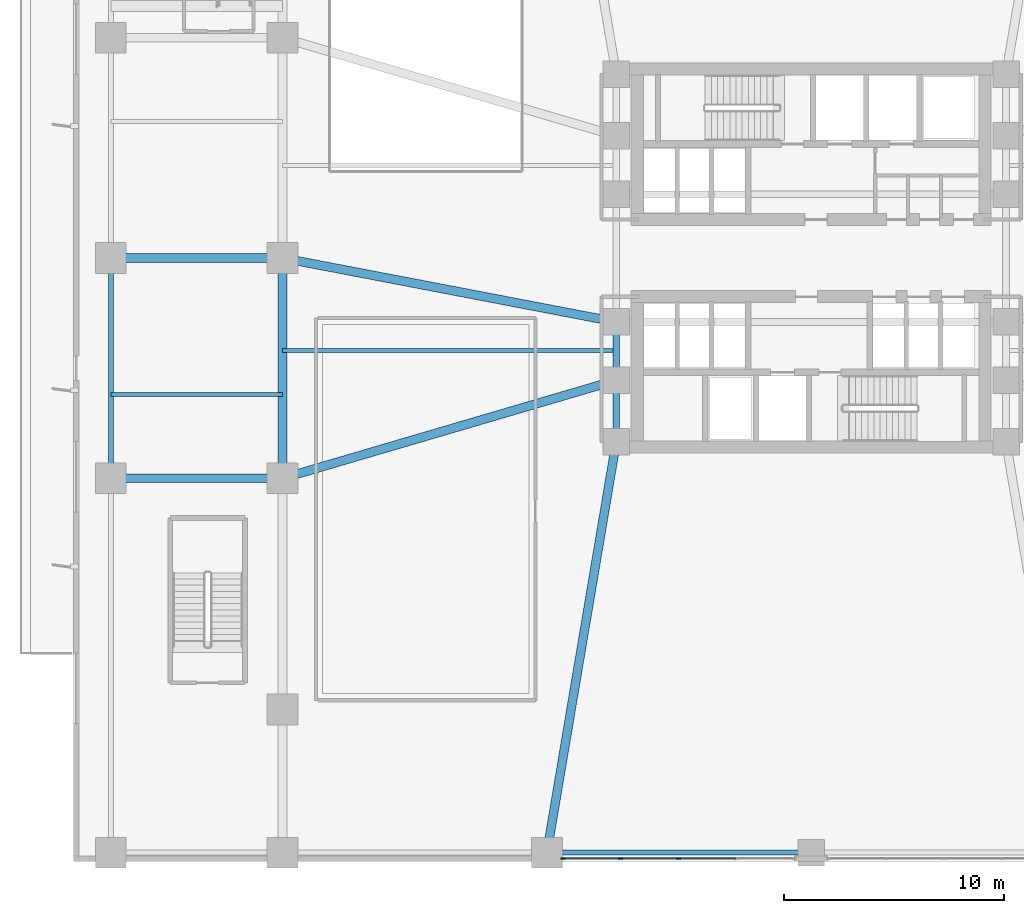
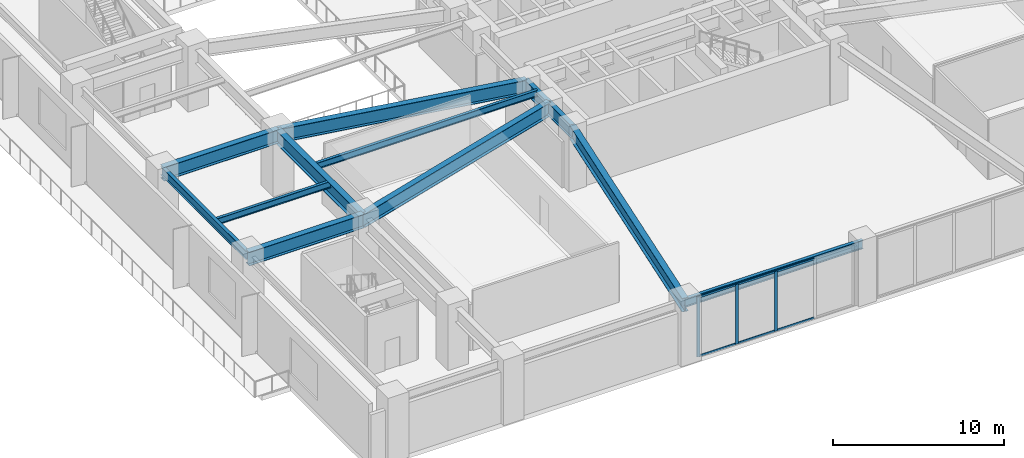
# One storey, part 2 of 13: 12 beams, 9 members, 1 element without a shape of its own.
"""IFC4 building model written with IfcOpenShell, lengths in metres."""

import ifcopenshell
import ifcopenshell.guid

model = None  # the IFC model being written
_history = None  # IfcOwnerHistory: only IFC2X3 demands one
_inside = {}  # id of a spatial element -> (the spatial element, [elements in it])
_under = {}  # id of a project, library or spatial element -> (it, [spatial elements below it])
_declared = {}  # id of a project -> (the project, [libraries it declares])
_typed = {}  # id of a type object -> (the type object, [elements of that type])
_made_of = {}  # id of a material, layer set ... -> (it, [elements and type objects made of it])


def new_model(schema):
    """Start an empty IFC model of exactly this schema.

    Asked for "IFC4X3", IfcOpenShell would pick the latest addendum, in which some entities
    have other attributes; the version numbers below select the first issue.
    IFC2X3 requires an IfcOwnerHistory on every rooted entity: one is made here for all.
    """
    global model, _history
    if schema == "IFC4X3":
        model = ifcopenshell.file(schema_version=(4, 3, 0, 0))
    else:
        model = ifcopenshell.file(schema=schema)
    _inside.clear()
    _under.clear()
    _declared.clear()
    _typed.clear()
    _made_of.clear()
    _history = None
    if model.schema == "IFC2X3":
        org = make("IfcOrganization", Name="unknown")
        user = make(
            "IfcPersonAndOrganization",
            ThePerson=make("IfcPerson", FamilyName="unknown"),
            TheOrganization=org,
        )
        app = make(
            "IfcApplication",
            ApplicationDeveloper=org,
            Version="unknown",
            ApplicationFullName="unknown",
            ApplicationIdentifier="unknown",
        )
        _history = make(
            "IfcOwnerHistory",
            OwningUser=user,
            OwningApplication=app,
            ChangeAction="ADDED",
            CreationDate=0,
        )
    return model


def make(cls, **values):
    """One entity of the class cls with the attributes given. An attribute that is None is left unset."""
    return model.create_entity(
        cls, **{name: value for name, value in values.items() if value is not None}
    )


def rooted(cls, **values):
    """An entity with a GlobalId (a new one), such as an element, a storey or a relation."""
    return make(cls, GlobalId=ifcopenshell.guid.new(), OwnerHistory=_history, **values)


def si_unit(unit_type, name, prefix=None):
    """IfcSIUnit, for example si_unit("LENGTHUNIT", "METRE", prefix="MILLI")."""
    return make("IfcSIUnit", UnitType=unit_type, Prefix=prefix, Name=name)


def assignment(units):
    """IfcUnitAssignment: the units of a project."""
    return None if units is None else make("IfcUnitAssignment", Units=units)


def point(xyz):
    """IfcCartesianPoint."""
    return None if xyz is None else make("IfcCartesianPoint", Coordinates=xyz)


def direction(xyz):
    """IfcDirection."""
    return None if xyz is None else make("IfcDirection", DirectionRatios=xyz)


def frame(location, z_axis=None, x_axis=None):
    """IfcAxis2Placement3D, a coordinate frame: its origin and axes. An axis left out is left unset."""
    return make(
        "IfcAxis2Placement3D",
        Location=point(location),
        Axis=direction(z_axis),
        RefDirection=direction(x_axis),
    )


def frame_2d(location, x_axis=None):
    """IfcAxis2Placement2D, a coordinate frame in the plane: its origin and x axis."""
    return make(
        "IfcAxis2Placement2D", Location=point(location), RefDirection=direction(x_axis)
    )


def origin():
    """The frame at (0, 0, 0) with its axes left unset."""
    return frame((0.0, 0.0, 0.0))


def origin_2d():
    """The frame at (0, 0) in the plane with its x axis left unset."""
    return frame_2d((0.0, 0.0))


def place(relative_to, where):
    """IfcLocalPlacement: puts the frame where relative to a parent placement (None: the world)."""
    return make(
        "IfcLocalPlacement", PlacementRelTo=relative_to, RelativePlacement=where
    )


def context(
    kind, dimensions, precision=None, world=None, true_north=None, identifier=None
):
    """IfcGeometricRepresentationContext, for example the 3D "Model" context."""
    return make(
        "IfcGeometricRepresentationContext",
        ContextIdentifier=identifier,
        ContextType=kind,
        CoordinateSpaceDimension=dimensions,
        Precision=precision,
        WorldCoordinateSystem=world,
        TrueNorth=true_north,
    )


def subcontext(parent, identifier, kind, view, scale=None):
    """IfcGeometricRepresentationSubContext, for example "Body" below "Model"."""
    return make(
        "IfcGeometricRepresentationSubContext",
        ContextIdentifier=identifier,
        ContextType=kind,
        ParentContext=parent,
        TargetScale=scale,
        TargetView=view,
    )


def project(units=None, contexts=None):
    """IfcProject with its units and contexts."""
    return rooted(
        "IfcProject",
        Name="project",
        RepresentationContexts=contexts,
        UnitsInContext=assignment(units),
    )


def spatial(cls, under=None, at=None, **own):
    """A site, building, storey or space (cls), placed at a placement, below another one or the project."""
    s = rooted(cls, ObjectPlacement=at, **own)
    if under is not None:
        _under.setdefault(under.id(), (under, []))[1].append(s)
    return s


def profile(cls, at=None, kind="AREA", **sizes):
    """A parametric profile (cls). Its sizes go by their IFC names, for example OverallWidth=200.0."""
    return make(cls, ProfileType=kind, Position=at, **sizes)


def rectangle(**sizes):
    """IfcRectangleProfileDef."""
    return profile("IfcRectangleProfileDef", **sizes)


def i_section(**sizes):
    """IfcIShapeProfileDef."""
    return profile("IfcIShapeProfileDef", **sizes)


def extrude(swept, where, along, depth):
    """IfcExtrudedAreaSolid: the profile swept, set in the frame where, extruded along a direction by depth."""
    return make(
        "IfcExtrudedAreaSolid",
        SweptArea=swept,
        Position=where,
        ExtrudedDirection=direction(along),
        Depth=depth,
    )


def shape(context_of_items, identifier, shape_type, items):
    """IfcShapeRepresentation: the items that make up one representation, for example the "Body"."""
    return make(
        "IfcShapeRepresentation",
        ContextOfItems=context_of_items,
        RepresentationIdentifier=identifier,
        RepresentationType=shape_type,
        Items=items,
    )


def material(Name=None, Category=None):
    """IfcMaterial."""
    return make("IfcMaterial", Name=Name, Category=Category)


def layer(
    of_material, thickness, ventilated=None, Name=None, Category=None, Priority=None
):
    """IfcMaterialLayer: one layer of a wall or slab, of a material (None: an air gap)."""
    return make(
        "IfcMaterialLayer",
        Material=of_material,
        LayerThickness=thickness,
        IsVentilated=ventilated,
        Name=Name,
        Category=Category,
        Priority=Priority,
    )


def layer_set(layers, Name=None):
    """IfcMaterialLayerSet."""
    return make("IfcMaterialLayerSet", MaterialLayers=layers, LayerSetName=Name)


def material_profile(
    of_material, cross_section, Name=None, Category=None, Priority=None
):
    """IfcMaterialProfile: a cross section and its material."""
    return make(
        "IfcMaterialProfile",
        Name=Name,
        Material=of_material,
        Profile=cross_section,
        Priority=Priority,
        Category=Category,
    )


def profile_set(profiles, Name=None, composite=None):
    """IfcMaterialProfileSet."""
    return make(
        "IfcMaterialProfileSet",
        Name=Name,
        MaterialProfiles=profiles,
        CompositeProfile=composite,
    )


def made_of(thing, what):
    """Note that an element or type object is made of a material, layer set ...; save() writes the relation."""
    if what is not None:
        _made_of.setdefault(what.id(), (what, []))[1].append(thing)
    return thing


def type_object(cls, material=None, **own):
    """A type object (cls), such as IfcWallType, which elements share."""
    return made_of(rooted(cls, **own), material)


def element(
    cls,
    number,
    at=None,
    inside=None,
    cuts=None,
    type_object=None,
    material=None,
    context=None,
    identifier="Body",
    shape_type=None,
    held_by="IfcProductDefinitionShape",
    body=None,
    shapes=None,
    **own,
):
    """One element of the class cls, such as IfcWall. Its Tag is "e" and its number.

    at: its placement. inside: the storey or other place that contains it. cuts: it is an
    opening in that element (IfcRelVoidsElement). A single representation is given by context,
    identifier, shape_type and body (its items); several are given by shapes. held_by: the class
    of the entity that holds the representations. save() writes the other relations.
    """
    e = rooted(cls, Tag="e%d" % number, ObjectPlacement=at, **own)
    if body is not None:
        shapes = [shape(context, identifier, shape_type, body)]
    if shapes is not None:
        e.Representation = make(held_by, Representations=shapes)
    if inside is not None:
        _inside.setdefault(inside.id(), (inside, []))[1].append(e)
    if cuts is not None:
        rooted(
            "IfcRelVoidsElement", RelatingBuildingElement=cuts, RelatedOpeningElement=e
        )
    if type_object is not None:
        _typed.setdefault(type_object.id(), (type_object, []))[1].append(e)
    return made_of(e, material)


def aggregate(whole, parts):
    """IfcRelAggregates: a whole, such as a stair, and the parts it consists of."""
    return rooted("IfcRelAggregates", RelatingObject=whole, RelatedObjects=parts)


def save(model, path):
    """Write the relations noted so far, then the file.

    IfcRelAggregates (storeys below a building ...), IfcRelContainedInSpatialStructure (elements
    in a storey), IfcRelDefinesByType, IfcRelAssociatesMaterial and IfcRelDeclares: one each for
    every whole, place, type object, material and project.
    """
    for whole, parts in _under.values():
        aggregate(whole, parts)
    for where, things in _inside.values():
        rooted(
            "IfcRelContainedInSpatialStructure",
            RelatedElements=things,
            RelatingStructure=where,
        )
    for kind, things in _typed.values():
        rooted("IfcRelDefinesByType", RelatedObjects=things, RelatingType=kind)
    for what, things in _made_of.values():
        rooted("IfcRelAssociatesMaterial", RelatedObjects=things, RelatingMaterial=what)
    for by, libraries in _declared.values():
        rooted("IfcRelDeclares", RelatingContext=by, RelatedDefinitions=libraries)
    model.write(path)


model = new_model("IFC4")

# Units and contexts
model_context = context("Model", 3, precision=1e-05, world=origin(), true_north=direction((0.0, 1.0)))
body_context = subcontext(model_context, "Body", "Model", "MODEL_VIEW")
ifc_project = project(units=[si_unit("LENGTHUNIT", "METRE"), si_unit("AREAUNIT", "SQUARE_METRE"), si_unit("VOLUMEUNIT", "CUBIC_METRE"), si_unit("PLANEANGLEUNIT", "RADIAN"), si_unit("MASSUNIT", "GRAM", prefix="KILO")], contexts=[model_context])

# Site, building, storey
site_placement = place(None, origin())
site = spatial("IfcSite", under=ifc_project, at=site_placement, CompositionType="ELEMENT")
building_placement = place(site_placement, origin())
building = spatial("IfcBuilding", under=site, at=building_placement, Name="Solmarez Civic Tower", CompositionType="ELEMENT")
storey_placement = place(building_placement, frame((0.0, 0.0, 14.760009765625)))
storey = spatial("IfcBuildingStorey", under=building, at=storey_placement, Name="L03", CompositionType="ELEMENT", Elevation=14.760009765625)

# Beams
ifc_material_1 = material(Name="Steel S355", Category="steel")
ifc_material_profile_1 = material_profile(ifc_material_1, i_section(OverallWidth=0.19189453125, OverallDepth=0.462890625, WebThickness=0.010498046875, FlangeThickness=0.017578125, at=origin_2d()), Name="W18X60")
ifc_profile_set_1 = profile_set([ifc_material_profile_1], Name="Steel S355")
beam_type_1 = type_object("IfcBeamType", Name="BM-JS-W18X60", PredefinedType="JOIST", material=ifc_profile_set_1)
beam_1_placement = place(storey_placement, frame((-24.0, -4.199951171875, 4.048095703125), z_axis=(1.0, 0.0, 0.0), x_axis=(0.0, 1.0, 0.0)))
element("IfcBeam", 1, at=beam_1_placement, inside=storey, type_object=beam_type_1, Name="L03 Secondary Floor Joist JS-L03-WM1", PredefinedType="JOIST", context=body_context, shape_type="SweptSolid", body=[
    extrude(i_section(OverallWidth=0.19189453125, OverallDepth=0.462890625, WebThickness=0.010498046875, FlangeThickness=0.017578125, at=origin_2d()), origin(), (0.0, 0.0, 1.0), 15.14990234375),
])
beam_2_placement = place(storey_placement, frame((-31.800048828125, -6.199951171875, 4.048095703125), z_axis=(1.0, 0.0, 0.0), x_axis=(0.0, 1.0, 0.0)))
element("IfcBeam", 2, at=beam_2_placement, inside=storey, type_object=beam_type_1, Name="L03 Secondary Floor Joist JS-L03-WW1", PredefinedType="JOIST", context=body_context, shape_type="SweptSolid", body=[
    extrude(i_section(OverallWidth=0.19189453125, OverallDepth=0.462890625, WebThickness=0.010498046875, FlangeThickness=0.017578125, at=origin_2d()), origin(), (0.0, 0.0, 1.0), 7.800048828125),
])
ifc_material_profile_2 = material_profile(ifc_material_1, i_section(OverallWidth=0.306884765625, OverallDepth=0.927001953125, WebThickness=0.019287109375, FlangeThickness=0.031982421875, at=origin_2d()), Name="W36X194")
ifc_profile_set_2 = profile_set([ifc_material_profile_2], Name="Steel S355")
beam_type_2 = type_object("IfcBeamType", Name="BM-PR-W36X194", PredefinedType="BEAM", material=ifc_profile_set_2)
beam_3_placement = place(storey_placement, frame((-8.85009765625, -8.35009765625, 3.81591796875), z_axis=(0.0, 1.0, 0.0), x_axis=(-1.0, 0.0, 0.0)))
element("IfcBeam", 3, at=beam_3_placement, inside=storey, type_object=beam_type_2, Name="L03 Primary Floor Beam BM-L03-HC12-HC1", PredefinedType="BEAM", context=body_context, shape_type="SweptSolid", body=[
    extrude(i_section(OverallWidth=0.306884765625, OverallDepth=0.927001953125, WebThickness=0.019287109375, FlangeThickness=0.031982421875, at=origin_2d()), origin(), (0.0, 0.0, 1.0), 2.800048828125),
])
beam_4_placement = place(storey_placement, frame((-8.85009765625, -5.550048828125, 3.81591796875), z_axis=(0.0, 1.0, 0.0), x_axis=(-1.0, 0.0, 0.0)))
element("IfcBeam", 4, at=beam_4_placement, inside=storey, type_object=beam_type_2, Name="L03 Primary Floor Beam BM-L03-HC1-HC2", PredefinedType="BEAM", context=body_context, shape_type="SweptSolid", body=[
    extrude(i_section(OverallWidth=0.306884765625, OverallDepth=0.927001953125, WebThickness=0.019287109375, FlangeThickness=0.031982421875, at=origin_2d()), origin(), (0.0, 0.0, 1.0), 2.650146484375),
])
ifc_material_profile_3 = material_profile(ifc_material_1, i_section(OverallWidth=0.39892578125, OverallDepth=0.98193359375, WebThickness=0.0166015625, FlangeThickness=0.027099609375, at=origin_2d()), Name="W40X199")
ifc_profile_set_3 = profile_set([ifc_material_profile_3], Name="Steel S355")
beam_type_3 = type_object("IfcBeamType", Name="BM-PR-W40X199", PredefinedType="BEAM", material=ifc_profile_set_3)
beam_5_placement = place(storey_placement, frame((-24.0, -10.0, 3.7890625), z_axis=(0.0, 1.0, 0.0), x_axis=(-1.0, 0.0, 0.0)))
element("IfcBeam", 5, at=beam_5_placement, inside=storey, type_object=beam_type_3, Name="L03 Primary Floor Beam BM-L03-PC19-PC20", PredefinedType="BEAM", context=body_context, shape_type="SweptSolid", body=[
    extrude(i_section(OverallWidth=0.39892578125, OverallDepth=0.98193359375, WebThickness=0.0166015625, FlangeThickness=0.027099609375, at=origin_2d()), origin(), (0.0, 0.0, 1.0), 10.0),
])
for number, where, z_axis, x_axis, name in (
    (6, (-31.800048828125, -10.0, 3.7890625), (1.0, 0.0, 0.0), (0.0, 1.0, 0.0), "L03 Primary Floor Beam BM-L03-PC13-PC19"),
    (7, (-31.800048828125, 0.0, 3.7890625), (1.0, 0.0, 0.0), (0.0, 1.0, 0.0), "L03 Primary Floor Beam BM-L03-PC14-PC20"),
):
    element("IfcBeam", number, at=place(storey_placement, frame(where, z_axis=z_axis, x_axis=x_axis)), inside=storey, type_object=beam_type_3, Name=name, PredefinedType="BEAM", context=body_context, shape_type="SweptSolid", body=[
        extrude(i_section(OverallWidth=0.39892578125, OverallDepth=0.98193359375, WebThickness=0.0166015625, FlangeThickness=0.027099609375, at=origin_2d()), origin(), (0.0, 0.0, 1.0), 7.800048828125),
    ])
beam_6_placement = place(storey_placement, frame((-24.0, -10.0, 3.7890625), z_axis=(0.959466630969, 0.281822256143, 0.0), x_axis=(-0.281822256143, 0.959466630969, 0.0)))
element("IfcBeam", 8, at=beam_6_placement, inside=storey, type_object=beam_type_3, Name="L03 Primary Floor Beam BM-L03-PC19-HC1", PredefinedType="BEAM", context=body_context, shape_type="SweptSolid", body=[
    extrude(i_section(OverallWidth=0.39892578125, OverallDepth=0.98193359375, WebThickness=0.0166015625, FlangeThickness=0.027099609375, at=origin_2d()), origin(), (0.0, 0.0, 1.0), 15.7900390625),
])
beam_7_placement = place(storey_placement, frame((-24.0, 0.0, 3.7890625), z_axis=(0.982168874333, -0.188000803966, 0.0), x_axis=(0.188000803966, 0.982168874333, 0.0)))
element("IfcBeam", 9, at=beam_7_placement, inside=storey, type_object=beam_type_3, Name="L03 Primary Floor Beam BM-L03-PC20-HC2", PredefinedType="BEAM", context=body_context, shape_type="SweptSolid", body=[
    extrude(i_section(OverallWidth=0.39892578125, OverallDepth=0.98193359375, WebThickness=0.0166015625, FlangeThickness=0.027099609375, at=origin_2d()), origin(), (0.0, 0.0, 1.0), 15.425048828125),
])
beam_8_placement = place(storey_placement, frame((-12.0, -27.0, 3.7890625), z_axis=(0.166537824737, 0.986035066786, 0.0), x_axis=(-0.986035066786, 0.166537824737, 0.0)))
element("IfcBeam", 10, at=beam_8_placement, inside=storey, type_object=beam_type_3, Name="L03 Primary Floor Beam BM-L03-PC03-HC12", PredefinedType="BEAM", context=body_context, shape_type="SweptSolid", body=[
    extrude(i_section(OverallWidth=0.39892578125, OverallDepth=0.98193359375, WebThickness=0.0166015625, FlangeThickness=0.027099609375, at=origin_2d()), origin(), (0.0, 0.0, 1.0), 18.9140625),
])
ifc_material_profile_4 = material_profile(ifc_material_1, i_section(OverallWidth=0.22900390625, OverallDepth=0.612060546875, WebThickness=0.011962890625, FlangeThickness=0.01953125, at=origin_2d()), Name="W24X84")
ifc_profile_set_4 = profile_set([ifc_material_profile_4], Name="Steel S355")
beam_type_4 = type_object("IfcBeamType", Name="BM-SP-W24X84", PredefinedType="SPANDREL", material=ifc_profile_set_4)
beam_9_placement = place(storey_placement, frame((-12.0, -27.0, 3.973876953125), z_axis=(1.0, 0.0, 0.0), x_axis=(0.0, 1.0, 0.0)))
element("IfcBeam", 11, at=beam_9_placement, inside=storey, type_object=beam_type_4, Name="L03 Perimeter Spandrel Beam BM-L03-PC03-PC26", PredefinedType="SPANDREL", context=body_context, shape_type="SweptSolid", body=[
    extrude(i_section(OverallWidth=0.22900390625, OverallDepth=0.612060546875, WebThickness=0.011962890625, FlangeThickness=0.01953125, at=origin_2d()), origin(), (0.0, 0.0, 1.0), 12.0),
])
beam_10_placement = place(storey_placement, frame((-31.800048828125, -10.0, 3.973876953125), z_axis=(0.0, 1.0, 0.0), x_axis=(-1.0, 0.0, 0.0)))
element("IfcBeam", 12, at=beam_10_placement, inside=storey, type_object=beam_type_4, Name="L03 Perimeter Spandrel Beam BM-L03-PC13-PC14", PredefinedType="SPANDREL", context=body_context, shape_type="SweptSolid", body=[
    extrude(i_section(OverallWidth=0.22900390625, OverallDepth=0.612060546875, WebThickness=0.011962890625, FlangeThickness=0.01953125, at=origin_2d()), origin(), (0.0, 0.0, 1.0), 10.0),
])

# Curtain wall, members
ifc_material_2 = material(Name="Bronze Anodised Aluminium EN AW-6063 T6", Category="aluminium")
ifc_layer = layer(ifc_material_2, 0.199951171875)
ifc_layer_set = layer_set([ifc_layer], Name="Bronze Anodised Aluminium EN AW-6063 T6")
curtain_wall_type = type_object("IfcCurtainWallType", Name="CW-SYS-1", PredefinedType="NOTDEFINED", material=ifc_layer_set)
curtain_wall_placement = place(storey_placement, origin())
curtain_wall = element("IfcCurtainWall", 13, at=curtain_wall_placement, inside=storey, type_object=curtain_wall_type, Name="L03 Podium Monumental Curtain Wall SW", PredefinedType="NOTDEFINED")
ifc_material_profile_5 = material_profile(ifc_material_2, rectangle(XDim=0.074951171875, YDim=0.199951171875, at=origin_2d()), Name="CWM-75X200")
ifc_profile_set_5 = profile_set([ifc_material_profile_5], Name="Bronze Anodised Aluminium EN AW-6063 T6")
member_type_1 = type_object("IfcMemberType", Name="CWM-TYPE-1", PredefinedType="MULLION", material=ifc_profile_set_5)
member_1_placement = place(storey_placement, frame((-6.02490234375, -27.27001953125, 0.0), z_axis=(0.0, 0.0, 1.0), x_axis=(0.0, -1.0, 0.0)))
member_1 = element("IfcMember", 14, at=member_1_placement, type_object=member_type_1, Name="CWS1 mullion 3", PredefinedType="MULLION", context=body_context, shape_type="SweptSolid", body=[
    extrude(rectangle(XDim=0.074951171875, YDim=0.199951171875, at=origin_2d()), origin(), (0.0, 0.0, 1.0), 4.280029296875),
])
member_2_placement = place(storey_placement, frame((-8.66259765625, -27.27001953125, 0.0), z_axis=(0.0, 0.0, 1.0), x_axis=(0.0, -1.0, 0.0)))
member_2 = element("IfcMember", 15, at=member_2_placement, type_object=member_type_1, Name="CWS1 mullion 4", PredefinedType="MULLION", context=body_context, shape_type="SweptSolid", body=[
    extrude(rectangle(XDim=0.074951171875, YDim=0.199951171875, at=origin_2d()), origin(), (0.0, 0.0, 1.0), 4.280029296875),
])
member_3_placement = place(storey_placement, frame((-11.262451171875, -27.27001953125, 0.0), z_axis=(0.0, 0.0, 1.0), x_axis=(0.0, -1.0, 0.0)))
member_3 = element("IfcMember", 16, at=member_3_placement, type_object=member_type_1, Name="CWS1 mullion 5", PredefinedType="MULLION", context=body_context, shape_type="SweptSolid", body=[
    extrude(rectangle(XDim=0.074951171875, YDim=0.199951171875, at=origin_2d()), origin(), (0.0, 0.0, 1.0), 4.280029296875),
])
ifc_material_profile_6 = material_profile(ifc_material_2, rectangle(XDim=0.070068359375, YDim=0.139892578125, at=origin_2d()), Name="CWT-70X140")
ifc_profile_set_6 = profile_set([ifc_material_profile_6], Name="Bronze Anodised Aluminium EN AW-6063 T6")
member_type_2 = type_object("IfcMemberType", Name="CWT-TYPE-1", PredefinedType="USERDEFINED", material=ifc_profile_set_6)
member_4_placement = place(storey_placement, frame((-3.425048828125, -27.27001953125, 0.034912109375), z_axis=(-1.0, 0.0, 0.0), x_axis=(0.0, -1.0, 0.0)))
member_4 = element("IfcMember", 17, at=member_4_placement, type_object=member_type_2, Name="CWS1 transom 2.1", ObjectType="TRANSOM", PredefinedType="USERDEFINED", context=body_context, shape_type="SweptSolid", body=[
    extrude(rectangle(XDim=0.070068359375, YDim=0.139892578125, at=origin_2d()), origin(), (0.0, 0.0, 1.0), 2.5625),
])
member_5_placement = place(storey_placement, frame((-3.425048828125, -27.27001953125, 4.244873046875), z_axis=(-1.0, 0.0, 0.0), x_axis=(0.0, -1.0, 0.0)))
member_5 = element("IfcMember", 18, at=member_5_placement, type_object=member_type_2, Name="CWS1 transom 2.2", ObjectType="TRANSOM", PredefinedType="USERDEFINED", context=body_context, shape_type="SweptSolid", body=[
    extrude(rectangle(XDim=0.070068359375, YDim=0.139892578125, at=origin_2d()), origin(), (0.0, 0.0, 1.0), 2.5625),
])
member_6_placement = place(storey_placement, frame((-6.0625, -27.27001953125, 0.034912109375), z_axis=(-1.0, 0.0, 0.0), x_axis=(0.0, -1.0, 0.0)))
member_6 = element("IfcMember", 19, at=member_6_placement, type_object=member_type_2, Name="CWS1 transom 3.1", ObjectType="TRANSOM", PredefinedType="USERDEFINED", context=body_context, shape_type="SweptSolid", body=[
    extrude(rectangle(XDim=0.070068359375, YDim=0.139892578125, at=origin_2d()), origin(), (0.0, 0.0, 1.0), 2.5625),
])
member_7_placement = place(storey_placement, frame((-6.0625, -27.27001953125, 4.244873046875), z_axis=(-1.0, 0.0, 0.0), x_axis=(0.0, -1.0, 0.0)))
member_7 = element("IfcMember", 20, at=member_7_placement, type_object=member_type_2, Name="CWS1 transom 3.2", ObjectType="TRANSOM", PredefinedType="USERDEFINED", context=body_context, shape_type="SweptSolid", body=[
    extrude(rectangle(XDim=0.070068359375, YDim=0.139892578125, at=origin_2d()), origin(), (0.0, 0.0, 1.0), 2.5625),
])
member_8_placement = place(storey_placement, frame((-8.699951171875, -27.27001953125, 0.034912109375), z_axis=(-1.0, 0.0, 0.0), x_axis=(0.0, -1.0, 0.0)))
member_8 = element("IfcMember", 21, at=member_8_placement, type_object=member_type_2, Name="CWS1 transom 4.1", ObjectType="TRANSOM", PredefinedType="USERDEFINED", context=body_context, shape_type="SweptSolid", body=[
    extrude(rectangle(XDim=0.070068359375, YDim=0.139892578125, at=origin_2d()), origin(), (0.0, 0.0, 1.0), 2.525146484375),
])
member_9_placement = place(storey_placement, frame((-8.699951171875, -27.27001953125, 4.244873046875), z_axis=(-1.0, 0.0, 0.0), x_axis=(0.0, -1.0, 0.0)))
member_9 = element("IfcMember", 22, at=member_9_placement, type_object=member_type_2, Name="CWS1 transom 4.2", ObjectType="TRANSOM", PredefinedType="USERDEFINED", context=body_context, shape_type="SweptSolid", body=[
    extrude(rectangle(XDim=0.070068359375, YDim=0.139892578125, at=origin_2d()), origin(), (0.0, 0.0, 1.0), 2.525146484375),
])
aggregate(curtain_wall, [member_1, member_2, member_3, member_4, member_5, member_6, member_7, member_8, member_9])

save(model, "model.ifc")
